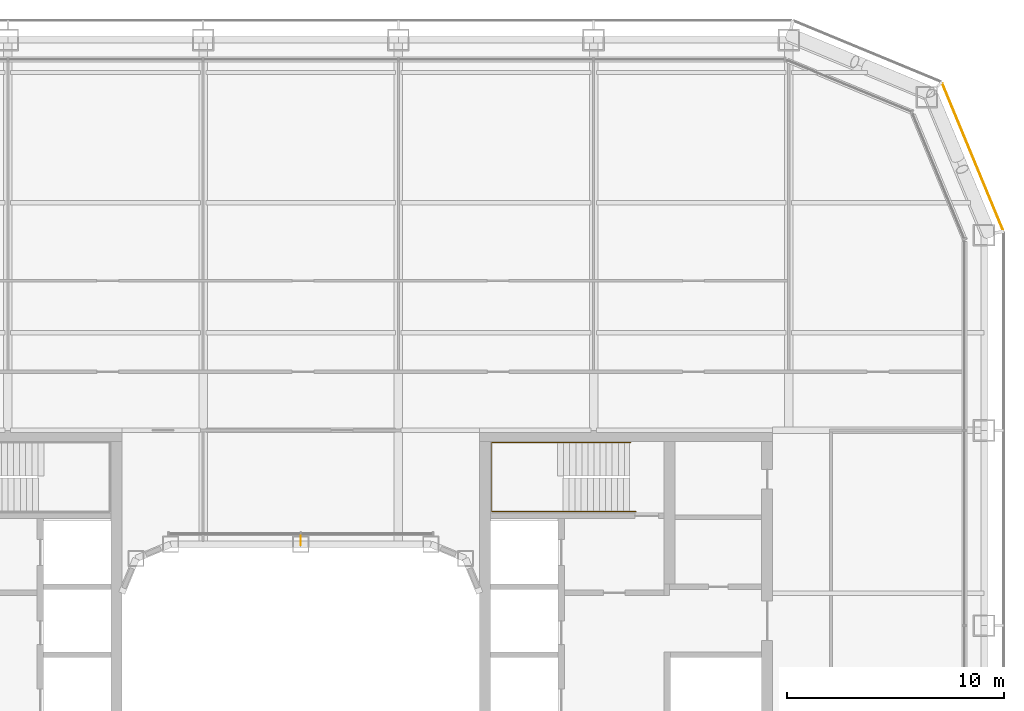
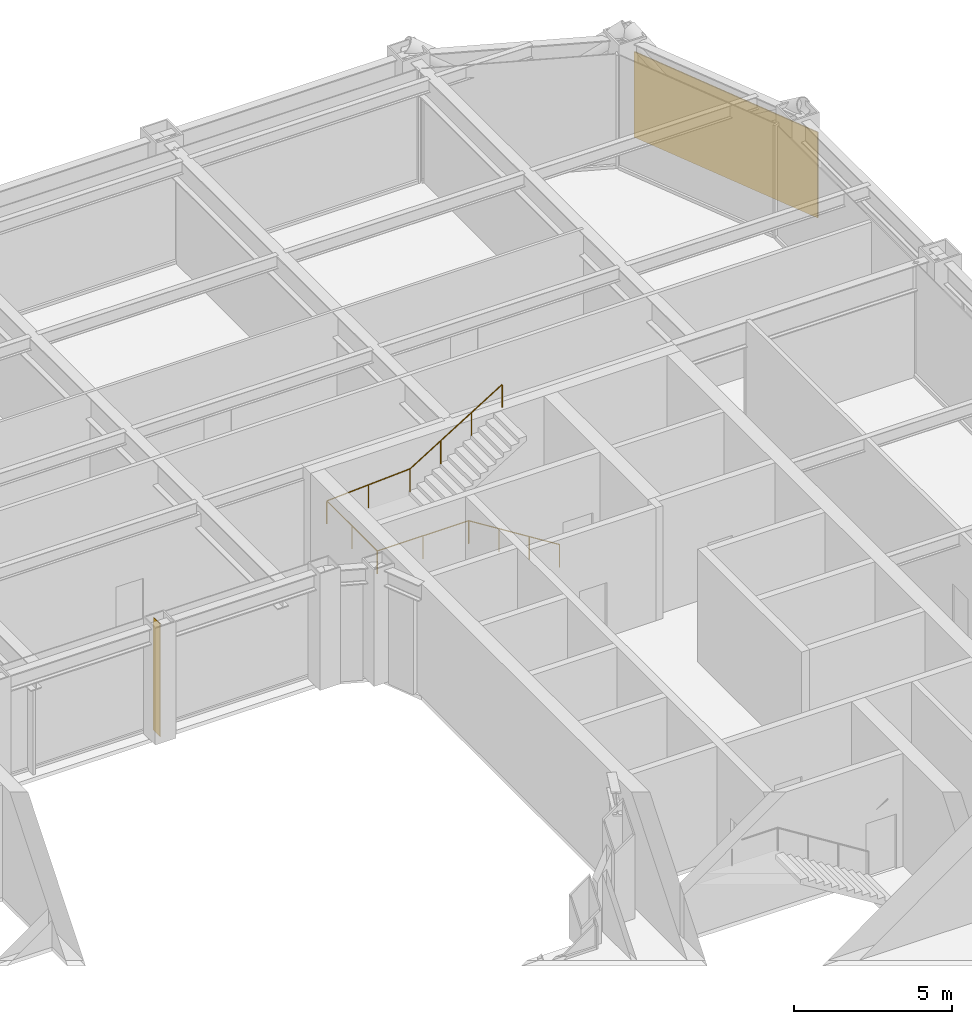
# One storey, part 23 of 24: 1 covering, 1 railing, 1 shading device.
"""IFC4 building model written with IfcOpenShell, lengths in metres."""

from ifc_helpers import new_model, si_unit, direction, frame, origin, origin_2d, place, context, subcontext, project, spatial, rectangle, circle, extrude, material, layer, layer_set, type_object, element, save


model = new_model("IFC4")

# Units and contexts
model_context = context("Model", 3, precision=1e-05, world=origin(), true_north=direction((0.0, 1.0)))
body_context = subcontext(model_context, "Body", "Model", "MODEL_VIEW")
ifc_project = project(units=[si_unit("LENGTHUNIT", "METRE"), si_unit("AREAUNIT", "SQUARE_METRE"), si_unit("VOLUMEUNIT", "CUBIC_METRE"), si_unit("PLANEANGLEUNIT", "RADIAN"), si_unit("MASSUNIT", "GRAM", prefix="KILO")], contexts=[model_context])

# Site, building, storey
site_placement = place(None, origin())
site = spatial("IfcSite", under=ifc_project, at=site_placement, CompositionType="ELEMENT")
building_placement = place(site_placement, origin())
building = spatial("IfcBuilding", under=site, at=building_placement, Name="Siwar Civic Tower", CompositionType="ELEMENT")
storey_placement = place(building_placement, frame((0.0, 0.0, 76.199951171875)))
storey = spatial("IfcBuildingStorey", under=building, at=storey_placement, Name="L16", CompositionType="ELEMENT", Elevation=76.199951171875)

# Railing
ifc_material_1 = material(Name="Stainless steel", Category="steel")
railing_type = type_object("IfcRailingType", Name="CORE-STAIR-HANDRAIL", PredefinedType="HANDRAIL", material=ifc_material_1)
railing_placement = place(storey_placement, frame((15.449951171875, 9.758056640625, 0.173095703125)))
element("IfcRailing", 1, at=railing_placement, inside=storey, type_object=railing_type, Name="Stair handrail ST3", PredefinedType="HANDRAIL", context=body_context, shape_type="SweptSolid", body=[
    extrude(circle(Radius=0.02001953125, at=origin_2d()), frame((0.0, 0.0, 0.8798828125), z_axis=(-0.847063342986, 0.0, 0.531491950051), x_axis=(0.0, -1.0, 0.0)), (0.0, 0.0, 1.0), 3.90771484375),
    extrude(circle(Radius=0.02001953125, at=origin_2d()), frame((-3.31005859375, 0.0, 2.956787109375), z_axis=(-1.0, 0.0, 0.0), x_axis=(0.0, -1.0, 0.0)), (0.0, 0.0, 1.0), 3.331787109375),
    extrude(circle(Radius=0.02001953125, at=origin_2d()), frame((-6.641845703125, 0.0, 2.956787109375), z_axis=(0.0, 1.0, 0.0), x_axis=(-1.0, 0.0, 0.0)), (0.0, 0.0, 1.0), 3.183837890625),
    extrude(circle(Radius=0.02001953125, at=origin_2d()), frame((-6.641845703125, 3.183837890625, 2.956787109375), z_axis=(0.99837434197, 0.0, 0.056997134106), x_axis=(0.0, 1.0, 0.0)), (0.0, 0.0, 1.0), 3.036865234375),
    extrude(circle(Radius=0.02001953125, at=origin_2d()), frame((-3.60986328125, 3.183837890625, 3.1298828125), z_axis=(0.850606129759, 0.0, 0.525803396734), x_axis=(0.0, 1.0, 0.0)), (0.0, 0.0, 1.0), 3.949951171875),
    extrude(circle(Radius=0.02001953125, at=origin_2d()), origin(), (0.0, 0.0, 1.0), 0.85986328125),
    extrude(circle(Radius=0.02001953125, at=origin_2d()), frame((-1.103271484375, 0.0, 0.6923828125)), (0.0, 0.0, 1.0), 0.85986328125),
    extrude(circle(Radius=0.02001953125, at=origin_2d()), frame((-2.206787109375, 0.0, 1.384521484375)), (0.0, 0.0, 1.0), 0.85986328125),
    extrude(circle(Radius=0.02001953125, at=origin_2d()), frame((-3.31005859375, 0.0, 2.076904296875)), (0.0, 0.0, 1.0), 0.85986328125),
    extrude(circle(Radius=0.02001953125, at=origin_2d()), frame((-4.97607421875, 0.0, 2.076904296875)), (0.0, 0.0, 1.0), 0.85986328125),
    extrude(circle(Radius=0.02001953125, at=origin_2d()), frame((-6.641845703125, 0.0, 2.076904296875)), (0.0, 0.0, 1.0), 0.85986328125),
    extrude(circle(Radius=0.02001953125, at=origin_2d()), frame((-6.641845703125, 1.591796875, 2.076904296875)), (0.0, 0.0, 1.0), 0.85986328125),
    extrude(circle(Radius=0.02001953125, at=origin_2d()), frame((-6.641845703125, 3.183837890625, 2.076904296875)), (0.0, 0.0, 1.0), 0.85986328125),
    extrude(circle(Radius=0.02001953125, at=origin_2d()), frame((-5.1259765625, 3.183837890625, 2.16357421875)), (0.0, 0.0, 1.0), 0.85986328125),
    extrude(circle(Radius=0.02001953125, at=origin_2d()), frame((-3.60986328125, 3.183837890625, 2.25)), (0.0, 0.0, 1.0), 0.85986328125),
    extrude(circle(Radius=0.02001953125, at=origin_2d()), frame((-2.489990234375, 3.183837890625, 2.9423828125)), (0.0, 0.0, 1.0), 0.85986328125),
    extrude(circle(Radius=0.02001953125, at=origin_2d()), frame((-1.369873046875, 3.183837890625, 3.634521484375)), (0.0, 0.0, 1.0), 0.85986328125),
    extrude(circle(Radius=0.02001953125, at=origin_2d()), frame((-0.25, 3.183837890625, 4.326904296875)), (0.0, 0.0, 1.0), 0.85986328125),
])

# Shading device
ifc_material_2 = material(Name="Aluminium 6063-T6", Category="aluminium")
ifc_layer_1 = layer(ifc_material_2, 0.02001953125)
ifc_layer_set_1 = layer_set([ifc_layer_1], Name="Aluminium 6063-T6")
shading_device_type = type_object("IfcShadingDeviceType", Name="ENV-FIN", PredefinedType="JALOUSIE", material=ifc_layer_set_1)
shading_device_placement = place(storey_placement, frame((0.0, 8.419921875, 0.0), z_axis=(0.0, 0.0, 1.0), x_axis=(-1.0, 0.0, 0.0)))
element("IfcShadingDevice", 2, at=shading_device_placement, inside=storey, type_object=shading_device_type, Name="SUNSHADE fin WN 1", PredefinedType="JALOUSIE", context=body_context, shape_type="SweptSolid", body=[
    extrude(rectangle(XDim=0.02001953125, YDim=0.449951171875, at=origin_2d()), origin(), (0.0, 0.0, 1.0), 4.35009765625),
])

# Covering
ifc_material_3 = material(Name="Perforated aluminium cassette, pale metal", Category="aluminium")
ifc_layer_2 = layer(ifc_material_3, 0.0400390625)
ifc_layer_set_2 = layer_set([ifc_layer_2], Name="Perforated aluminium cassette, pale metal")
covering_type = type_object("IfcCoveringType", Name="ENV-OUTER SKIN OS-1", PredefinedType="CLADDING", material=ifc_layer_set_2)
covering_placement = place(storey_placement, frame((30.976318359375, 26.115966796875, -0.14990234375), z_axis=(0.0, 0.0, 1.0), x_axis=(-0.382683432365, 0.923879532511, 0.0)))
element("IfcCovering", 3, at=covering_placement, inside=storey, type_object=covering_type, Name="OUTER SKIN OS-1 NE1 1", PredefinedType="CLADDING", context=body_context, shape_type="SweptSolid", body=[
    extrude(rectangle(XDim=7.300048828125, YDim=0.0400390625, at=origin_2d()), origin(), (0.0, 0.0, 1.0), 3.300048828125),
])

save(model, "model.ifc")
